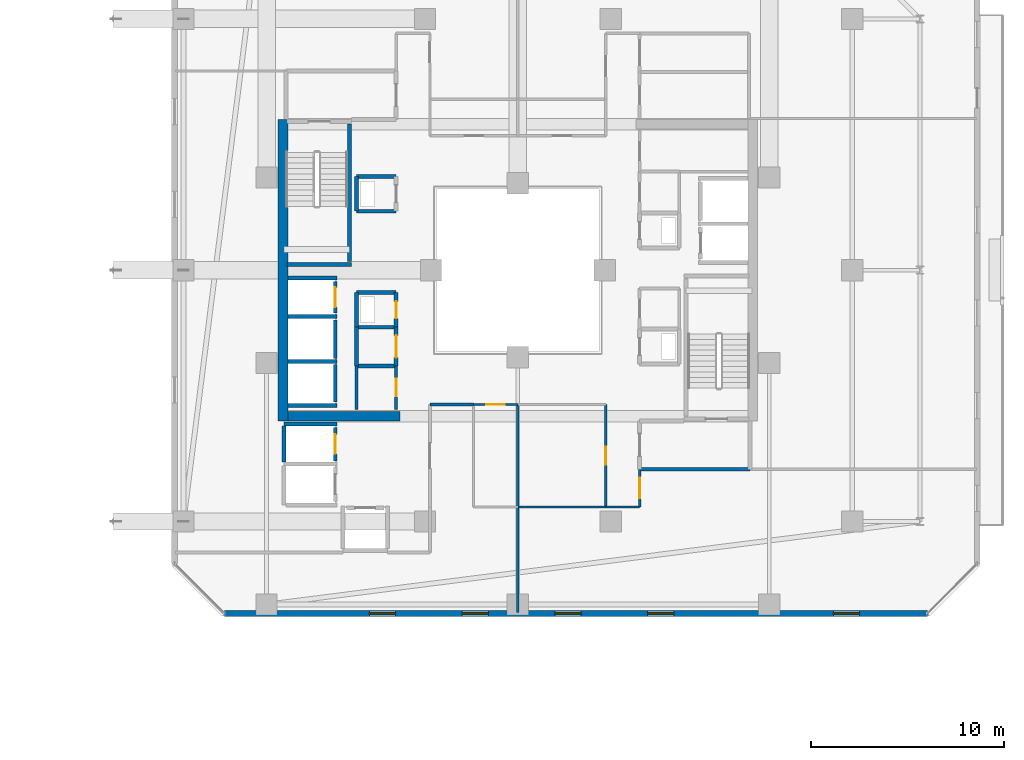
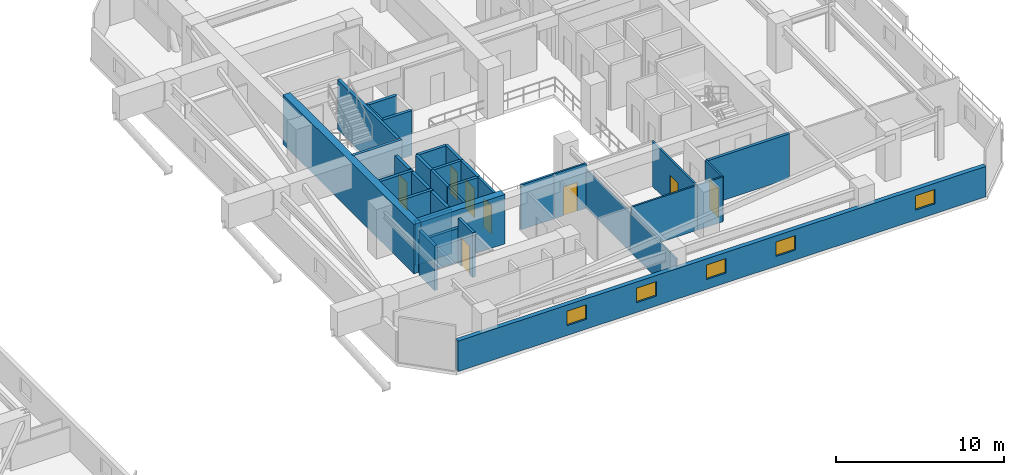
# One storey, part 26 of 36: 36 walls, 8 doors, 5 windows, 13 openings.
"""IFC4 building model written with IfcOpenShell, lengths in metres."""

from ifc_helpers import new_model, si_unit, direction, frame, frame_2d, origin, place, context, subcontext, project, spatial, rectangle, extrude, material, layer, layer_set, type_object, element, fill, save


model = new_model("IFC4")

# Units and contexts
model_context = context("Model", 3, precision=1e-05, world=origin(), true_north=direction((0.0, 1.0)))
body_context = subcontext(model_context, "Body", "Model", "MODEL_VIEW")
ifc_project = project(units=[si_unit("LENGTHUNIT", "METRE"), si_unit("AREAUNIT", "SQUARE_METRE"), si_unit("VOLUMEUNIT", "CUBIC_METRE"), si_unit("PLANEANGLEUNIT", "RADIAN"), si_unit("MASSUNIT", "GRAM", prefix="KILO")], contexts=[model_context])

# Site, building, storey
site_placement = place(None, origin())
site = spatial("IfcSite", under=ifc_project, at=site_placement, CompositionType="ELEMENT")
building_placement = place(site_placement, origin())
building = spatial("IfcBuilding", under=site, at=building_placement, Name="Thornwick Lancets Civic Towers", CompositionType="ELEMENT")
storey_placement = place(building_placement, frame((0.0, 0.0, 170.699951171875)))
storey = spatial("IfcBuildingStorey", under=building, at=storey_placement, Name="L45", CompositionType="ELEMENT", Elevation=170.699951171875)

# Wall, opening, door
ifc_material_1 = material(Name="Concrete blockwork C40/50", Category="masonry")
ifc_layer_1 = layer(ifc_material_1, 0.199951171875, Name="Concrete blockwork C40/50")
ifc_layer_set_1 = layer_set([ifc_layer_1], Name="Concrete blockwork C40/50")
wall_type_1 = type_object("IfcWallType", Name="WALL_COMP_200", PredefinedType="STANDARD", material=ifc_layer_set_1)
wall_1_placement = place(storey_placement, frame((79.050048828125, 24.780029296875, 0.0), z_axis=(0.0, 0.0, 1.0), x_axis=(0.0, 1.0, 0.0)))
wall_1 = element("IfcWall", 1, at=wall_1_placement, inside=storey, type_object=wall_type_1, Name="L45 Hoistway Front Wall FL-B2", PredefinedType="STANDARD", context=body_context, shape_type="SweptSolid", body=[
    extrude(rectangle(XDim=1.639892578125, YDim=0.199951171875, at=frame_2d((0.81982421875, 0.0))), origin(), (0.0, 0.0, 1.0), 3.260009765625),
])
opening_1_placement = place(wall_1_placement, frame((0.31005859375, 0.0, 0.0)))
opening_1 = element("IfcOpeningElement", 2, at=opening_1_placement, cuts=wall_1, Name="Opening LD-FL-B2", PredefinedType="OPENING", context=body_context, shape_type="SweptSolid", body=[
    extrude(rectangle(XDim=1.02001953125, YDim=2.06005859375, at=frame_2d((0.510009765625, 1.030029296875))), frame((0.0, 0.10986328125, 0.0), z_axis=(0.0, -1.0, 0.0), x_axis=(1.0, 0.0, 0.0)), (0.0, 0.0, 1.0), 0.219970703125),
])
ifc_material_2 = material(Name="Brushed bronze stainless steel", Category="steel")
door_type_1 = type_object("IfcDoorType", Name="DOOR_LIFT_SLIDE", OperationType="SLIDING_TO_LEFT", PredefinedType="DOOR", material=ifc_material_2)
door_1_placement = place(opening_1_placement, origin())
door_1 = element("IfcDoor", 3, at=door_1_placement, inside=storey, type_object=door_type_1, Name="L45 Sliding Lift Landing Door LD-FL-B2", OperationType="SLIDING_TO_LEFT", OverallHeight=2.06005859375, OverallWidth=1.02001953125, PredefinedType="DOOR", context=body_context, shape_type="SweptSolid", body=[
    extrude(rectangle(XDim=1.02001953125, YDim=2.06005859375, at=frame_2d((0.510009765625, 1.030029296875))), frame((0.0, 0.02490234375, 0.0), z_axis=(0.0, -1.0, 0.0), x_axis=(1.0, 0.0, 0.0)), (0.0, 0.0, 1.0), 0.050048828125),
])
fill(opening_1, door_1)

# Walls
wall_2_placement = place(storey_placement, frame((79.050048828125, 22.429931640625, 0.0), z_axis=(0.0, 0.0, 1.0), x_axis=(0.0, 1.0, 0.0)))
element("IfcWall", 4, at=wall_2_placement, inside=storey, type_object=wall_type_1, Name="L45 Hoistway Front Wall PL-BH2", PredefinedType="STANDARD", context=body_context, shape_type="SweptSolid", body=[
    extrude(rectangle(XDim=1.989990234375, YDim=0.199951171875, at=frame_2d((0.9951171875, 0.0))), origin(), (0.0, 0.0, 1.0), 3.260009765625),
])
wall_3_placement = place(storey_placement, frame((79.050048828125, 20.179931640625, 0.0), z_axis=(0.0, 0.0, 1.0), x_axis=(0.0, 1.0, 0.0)))
element("IfcWall", 5, at=wall_3_placement, inside=storey, type_object=wall_type_1, Name="L45 Hoistway Front Wall PL-BH3", PredefinedType="STANDARD", context=body_context, shape_type="SweptSolid", body=[
    extrude(rectangle(XDim=1.940185546875, YDim=0.199951171875, at=frame_2d((0.97021484375, 0.0))), origin(), (0.0, 0.0, 1.0), 3.260009765625),
])

# Wall, opening, door
wall_4_placement = place(storey_placement, frame((79.050048828125, 17.1298828125, 0.0), z_axis=(0.0, 0.0, 1.0), x_axis=(0.0, 1.0, 0.0)))
wall_4 = element("IfcWall", 6, at=wall_4_placement, inside=storey, type_object=wall_type_1, Name="L45 Hoistway Front Wall PL-BM1", PredefinedType="STANDARD", context=body_context, shape_type="SweptSolid", body=[
    extrude(rectangle(XDim=1.740234375, YDim=0.199951171875, at=frame_2d((0.8701171875, 0.0))), origin(), (0.0, 0.0, 1.0), 3.260009765625),
])
opening_2_placement = place(wall_4_placement, frame((0.360107421875, 0.0, 0.0)))
opening_2 = element("IfcOpeningElement", 7, at=opening_2_placement, cuts=wall_4, Name="Opening LD-PL-BM1", PredefinedType="OPENING", context=body_context, shape_type="SweptSolid", body=[
    extrude(rectangle(XDim=1.02001953125, YDim=2.06005859375, at=frame_2d((0.510009765625, 1.030029296875))), frame((0.0, 0.10986328125, 0.0), z_axis=(0.0, -1.0, 0.0), x_axis=(1.0, 0.0, 0.0)), (0.0, 0.0, 1.0), 0.219970703125),
])
door_2_placement = place(opening_2_placement, origin())
door_2 = element("IfcDoor", 8, at=door_2_placement, inside=storey, type_object=door_type_1, Name="L45 Sliding Lift Landing Door LD-PL-BM1", OperationType="SLIDING_TO_LEFT", OverallHeight=2.06005859375, OverallWidth=1.02001953125, PredefinedType="DOOR", context=body_context, shape_type="SweptSolid", body=[
    extrude(rectangle(XDim=1.02001953125, YDim=2.06005859375, at=frame_2d((0.510009765625, 1.030029296875))), frame((0.0, 0.02490234375, 0.0), z_axis=(0.0, -1.0, 0.0), x_axis=(1.0, 0.0, 0.0)), (0.0, 0.0, 1.0), 0.050048828125),
])
fill(opening_2, door_2)

# Walls
wall_5_placement = place(storey_placement, frame((76.612060546875, 26.60009765625, 0.0), z_axis=(0.0, 0.0, 1.0), x_axis=(1.0, 0.0, 0.0)))
element("IfcWall", 9, at=wall_5_placement, inside=storey, type_object=wall_type_1, Name="L45 Hoistway Shaft Wall FL-B2 N", PredefinedType="STANDARD", context=body_context, shape_type="SweptSolid", body=[
    extrude(rectangle(XDim=2.535888671875, YDim=0.199951171875, at=frame_2d((1.26806640625, 0.0))), origin(), (0.0, 0.0, 1.0), 1.78515625),
])
for number, where, z_axis, x_axis, name in (
    (10, (76.612060546875, 24.60009765625, 0.0), (0.0, 0.0, 1.0), (1.0, 0.0, 0.0), "L45 Hoistway Shaft Wall FL-B2 S"),
    (11, (76.612060546875, 22.27490234375, 0.0), (0.0, 0.0, 1.0), (1.0, 0.0, 0.0), "L45 Hoistway Shaft Wall PL-BH2 S"),
    (12, (76.612060546875, 20.0, 0.0), (0.0, 0.0, 1.0), (1.0, 0.0, 0.0), "L45 Hoistway Shaft Wall PL-BH3 S"),
):
    element("IfcWall", number, at=place(storey_placement, frame(where, z_axis=z_axis, x_axis=x_axis)), inside=storey, type_object=wall_type_1, Name=name, PredefinedType="STANDARD", context=body_context, shape_type="SweptSolid", body=[
        extrude(rectangle(XDim=2.535888671875, YDim=0.199951171875, at=frame_2d((1.26806640625, 0.0))), origin(), (0.0, 0.0, 1.0), 3.260009765625),
    ])
wall_6_placement = place(storey_placement, frame((76.402099609375, 19.050048828125, 0.0), z_axis=(0.0, 0.0, 1.0), x_axis=(1.0, 0.0, 0.0)))
element("IfcWall", 13, at=wall_6_placement, inside=storey, type_object=wall_type_1, Name="L45 Hoistway Shaft Wall PL-BM1 N", PredefinedType="STANDARD", context=body_context, shape_type="SweptSolid", body=[
    extrude(rectangle(XDim=2.745849609375, YDim=0.199951171875, at=frame_2d((1.373046875, 0.0))), origin(), (0.0, 0.0, 1.0), 2.465087890625),
])
wall_7_placement = place(storey_placement, frame((76.39990234375, 17.08203125, 0.0), z_axis=(0.0, 0.0, 1.0), x_axis=(0.0, 1.0, 0.0)))
element("IfcWall", 14, at=wall_7_placement, inside=storey, type_object=wall_type_1, Name="L45 Hoistway Shaft Wall PL-BM1 W", PredefinedType="STANDARD", context=body_context, shape_type="SweptSolid", body=[
    extrude(rectangle(XDim=1.85595703125, YDim=0.199951171875, at=frame_2d((0.927978515625, 0.0))), origin(), (0.0, 0.0, 1.0), 3.260009765625),
])
wall_8_placement = place(storey_placement, frame((94.800048828125, 16.699951171875, 0.0), z_axis=(0.0, 0.0, 1.0), x_axis=(1.0, 0.0, 0.0)))
element("IfcWall", 15, at=wall_8_placement, inside=storey, type_object=wall_type_1, Name="L45 Partition L45-B-FFLOB1 E1", PredefinedType="STANDARD", context=body_context, shape_type="SweptSolid", body=[
    extrude(rectangle(XDim=5.699951171875, YDim=0.199951171875, at=frame_2d((2.85009765625, 0.0))), origin(), (0.0, 0.0, 1.0), 3.260009765625),
])
wall_9_placement = place(storey_placement, frame((80.14990234375, 24.050048828125, 0.0), z_axis=(0.0, 0.0, 1.0), x_axis=(1.0, 0.0, 0.0)))
element("IfcWall", 16, at=wall_9_placement, inside=storey, type_object=wall_type_1, Name="L45 Partition L45-B-DUCT2 E1", PredefinedType="STANDARD", context=body_context, shape_type="SweptSolid", body=[
    extrude(rectangle(XDim=2.050048828125, YDim=0.199951171875, at=frame_2d((1.02490234375, 0.0))), origin(), (0.0, 0.0, 1.0), 3.260009765625),
])

# Wall, opening, door
wall_10_placement = place(storey_placement, frame((82.199951171875, 24.050048828125, 0.0), z_axis=(0.0, 0.0, 1.0), x_axis=(0.0, 1.0, 0.0)))
wall_10 = element("IfcWall", 17, at=wall_10_placement, inside=storey, type_object=wall_type_1, Name="L45 Partition L45-B-DUCT2 E2", PredefinedType="STANDARD", context=body_context, shape_type="SweptSolid", body=[
    extrude(rectangle(XDim=1.800048828125, YDim=0.199951171875, at=frame_2d((0.89990234375, 0.0))), origin(), (0.0, 0.0, 1.0), 3.260009765625),
])
opening_3_placement = place(wall_10_placement, frame((0.4599609375, 0.0, 0.0)))
opening_3 = element("IfcOpeningElement", 18, at=opening_3_placement, cuts=wall_10, Name="Opening D-L45-2018", PredefinedType="OPENING", context=body_context, shape_type="SweptSolid", body=[
    extrude(rectangle(XDim=0.8798828125, YDim=2.0400390625, at=frame_2d((0.43994140625, 1.02001953125))), frame((0.0, 0.10986328125, 0.0), z_axis=(0.0, -1.0, 0.0), x_axis=(1.0, 0.0, 0.0)), (0.0, 0.0, 1.0), 0.219970703125),
])
ifc_material_3 = material(Name="Steel riser access doorset", Category="steel")
door_type_2 = type_object("IfcDoorType", Name="DOOR_RISER_850", OperationType="NOTDEFINED", PredefinedType="DOOR", material=ifc_material_3)
door_3_placement = place(opening_3_placement, origin())
door_3 = element("IfcDoor", 19, at=door_3_placement, inside=storey, type_object=door_type_2, Name="L45 West Service Duct 2 Door", OperationType="SINGLE_SWING_LEFT", OverallHeight=2.0400390625, OverallWidth=0.8798828125, PredefinedType="DOOR", context=body_context, shape_type="SweptSolid", body=[
    extrude(rectangle(XDim=0.8798828125, YDim=2.0400390625, at=frame_2d((0.43994140625, 1.02001953125))), frame((0.0, 0.02490234375, 0.0), z_axis=(0.0, -1.0, 0.0), x_axis=(1.0, 0.0, 0.0)), (0.0, 0.0, 1.0), 0.050048828125),
])
fill(opening_3, door_3)

# Walls
wall_11_placement = place(storey_placement, frame((82.199951171875, 25.85009765625, 0.0), z_axis=(0.0, 0.0, 1.0), x_axis=(-1.0, 0.0, 0.0)))
element("IfcWall", 20, at=wall_11_placement, inside=storey, type_object=wall_type_1, Name="L45 Partition L45-B-DUCT2 E3", PredefinedType="STANDARD", context=body_context, shape_type="SweptSolid", body=[
    extrude(rectangle(XDim=2.050048828125, YDim=0.199951171875, at=frame_2d((1.02490234375, 0.0))), origin(), (0.0, 0.0, 1.0), 3.260009765625),
])
wall_12_placement = place(storey_placement, frame((80.14990234375, 25.85009765625, 0.0), z_axis=(0.0, 0.0, 1.0), x_axis=(0.0, -1.0, 0.0)))
element("IfcWall", 21, at=wall_12_placement, inside=storey, type_object=wall_type_1, Name="L45 Partition L45-B-DUCT2 E4", PredefinedType="STANDARD", context=body_context, shape_type="SweptSolid", body=[
    extrude(rectangle(XDim=1.800048828125, YDim=0.199951171875, at=frame_2d((0.89990234375, 0.0))), origin(), (0.0, 0.0, 1.0), 3.260009765625),
])
for number, where, z_axis, x_axis, name in (
    (22, (80.14990234375, 30.050048828125, 0.0), (0.0, 0.0, 1.0), (1.0, 0.0, 0.0), "L45 Partition L45-B-RISER2 E1"),
    (23, (82.199951171875, 31.85009765625, 0.0), (0.0, 0.0, 1.0), (-1.0, 0.0, 0.0), "L45 Partition L45-B-RISER2 E3"),
):
    element("IfcWall", number, at=place(storey_placement, frame(where, z_axis=z_axis, x_axis=x_axis)), inside=storey, type_object=wall_type_1, Name=name, PredefinedType="STANDARD", context=body_context, shape_type="SweptSolid", body=[
        extrude(rectangle(XDim=2.050048828125, YDim=0.199951171875, at=frame_2d((1.02490234375, 0.0))), origin(), (0.0, 0.0, 1.0), 3.260009765625),
    ])
wall_13_placement = place(storey_placement, frame((80.14990234375, 31.85009765625, 0.0), z_axis=(0.0, 0.0, 1.0), x_axis=(0.0, -1.0, 0.0)))
element("IfcWall", 24, at=wall_13_placement, inside=storey, type_object=wall_type_1, Name="L45 Partition L45-B-RISER2 E4", PredefinedType="STANDARD", context=body_context, shape_type="SweptSolid", body=[
    extrude(rectangle(XDim=1.800048828125, YDim=0.199951171875, at=frame_2d((0.89990234375, 0.0))), origin(), (0.0, 0.0, 1.0), 3.260009765625),
])
wall_14_placement = place(storey_placement, frame((80.14990234375, 22.050048828125, 0.0), z_axis=(0.0, 0.0, 1.0), x_axis=(0.0, 1.0, 0.0)))
element("IfcWall", 25, at=wall_14_placement, inside=storey, type_object=wall_type_1, Name="L45 Partition L45-B-STR E1", PredefinedType="STANDARD", context=body_context, shape_type="SweptSolid", body=[
    extrude(rectangle(XDim=2.0, YDim=0.199951171875, at=frame_2d((1.0, 0.0))), origin(), (0.0, 0.0, 1.0), 3.260009765625),
])

# Wall, opening, door
wall_15_placement = place(storey_placement, frame((82.199951171875, 24.050048828125, 0.0), z_axis=(0.0, 0.0, 1.0), x_axis=(0.0, -1.0, 0.0)))
wall_15 = element("IfcWall", 26, at=wall_15_placement, inside=storey, type_object=wall_type_1, Name="L45 Partition L45-B-STR E3", PredefinedType="STANDARD", context=body_context, shape_type="SweptSolid", body=[
    extrude(rectangle(XDim=2.0, YDim=0.199951171875, at=frame_2d((1.0, 0.0))), origin(), (0.0, 0.0, 1.0), 3.260009765625),
])
opening_4_placement = place(wall_15_placement, frame((0.425048828125, 0.0, 0.0)))
opening_4 = element("IfcOpeningElement", 27, at=opening_4_placement, cuts=wall_15, Name="Opening D-L45-2024", PredefinedType="OPENING", context=body_context, shape_type="SweptSolid", body=[
    extrude(rectangle(XDim=1.14990234375, YDim=2.10009765625, at=frame_2d((0.574951171875, 1.050048828125))), frame((0.0, 0.10986328125, 0.0), z_axis=(0.0, -1.0, 0.0), x_axis=(1.0, 0.0, 0.0)), (0.0, 0.0, 1.0), 0.219970703125),
])
ifc_material_4 = material(Name="Glazed fire-resisting steel", Category="steel")
door_type_3 = type_object("IfcDoorType", Name="DOOR_LOBBY_FD60", OperationType="NOTDEFINED", PredefinedType="DOOR", material=ifc_material_4)
door_4_placement = place(opening_4_placement, origin())
door_4 = element("IfcDoor", 28, at=door_4_placement, inside=storey, type_object=door_type_3, Name="L45 Tower B Core Records Store Door", OperationType="SINGLE_SWING_LEFT", OverallHeight=2.10009765625, OverallWidth=1.14990234375, PredefinedType="DOOR", context=body_context, shape_type="SweptSolid", body=[
    extrude(rectangle(XDim=1.14990234375, YDim=2.10009765625, at=frame_2d((0.574951171875, 1.050048828125))), frame((0.0, 0.02490234375, 0.0), z_axis=(0.0, -1.0, 0.0), x_axis=(1.0, 0.0, 0.0)), (0.0, 0.0, 1.0), 0.050048828125),
])
fill(opening_4, door_4)

# Walls
wall_16_placement = place(storey_placement, frame((82.199951171875, 22.050048828125, 0.0), z_axis=(0.0, 0.0, 1.0), x_axis=(-1.0, 0.0, 0.0)))
element("IfcWall", 29, at=wall_16_placement, inside=storey, type_object=wall_type_1, Name="L45 Partition L45-B-STR E4", PredefinedType="STANDARD", context=body_context, shape_type="SweptSolid", body=[
    extrude(rectangle(XDim=2.050048828125, YDim=0.199951171875, at=frame_2d((1.02490234375, 0.0))), origin(), (0.0, 0.0, 1.0), 3.260009765625),
])
ifc_material_5 = material(Name="Concrete C50/60", Category="concrete")
ifc_layer_2 = layer(ifc_material_5, 0.5, Name="Concrete C50/60")
ifc_layer_set_2 = layer_set([ifc_layer_2], Name="Concrete C50/60")
wall_type_2 = type_object("IfcWallType", Name="WALL_CORE_500", PredefinedType="SHEAR", material=ifc_layer_set_2)
wall_17_placement = place(storey_placement, frame((76.35009765625, 19.199951171875, 0.0), z_axis=(0.0, 0.0, 1.0), x_axis=(0.0, 1.0, 0.0)))
element("IfcWall", 30, at=wall_17_placement, inside=storey, type_object=wall_type_2, Name="L45 Split Core B2 Shear Wall W", PredefinedType="SHEAR", context=body_context, shape_type="SweptSolid", body=[
    extrude(rectangle(XDim=15.60009765625, YDim=0.5, at=frame_2d((7.800048828125, 0.0))), origin(), (0.0, 0.0, 1.0), 3.60009765625),
])
wall_18_placement = place(storey_placement, frame((76.60009765625, 19.449951171875, 0.0), z_axis=(0.0, 0.0, 1.0), x_axis=(1.0, 0.0, 0.0)))
element("IfcWall", 31, at=wall_18_placement, inside=storey, type_object=wall_type_2, Name="L45 Split Core B2 Shear Wall S", PredefinedType="SHEAR", context=body_context, shape_type="SweptSolid", body=[
    extrude(rectangle(XDim=5.7998046875, YDim=0.5, at=frame_2d((2.89990234375, 0.0))), origin(), (0.0, 0.0, 1.0), 3.60009765625),
])

# Wall, openings, windows
ifc_material_6 = material(Name="Insulated russet terracotta rainscreen on concrete C40/50", Category="masonry")
ifc_layer_3 = layer(ifc_material_6, 0.300048828125, Name="Insulated russet terracotta rainscreen on concrete C40/50")
ifc_layer_set_3 = layer_set([ifc_layer_3], Name="Insulated russet terracotta rainscreen on concrete C40/50")
wall_type_3 = type_object("IfcWallType", Name="WALL_EXT_RUSSET_300", PredefinedType="STANDARD", material=ifc_layer_set_3)
wall_19_placement = place(storey_placement, frame((73.318603515625, 9.2353515625, 0.0), z_axis=(0.0, 0.0, 1.0), x_axis=(1.0, 0.0, 0.0)))
wall_19 = element("IfcWall", 32, at=wall_19_placement, inside=storey, type_object=wall_type_3, Name="L45 Tower B Terracotta Facade Wall E0", PredefinedType="STANDARD", context=body_context, shape_type="SweptSolid", body=[
    extrude(rectangle(XDim=36.36279296875, YDim=0.300048828125, at=frame_2d((18.181396484375, 0.0))), origin(), (0.0, 0.0, 1.0), 2.219970703125),
])
opening_5_placement = place(wall_19_placement, frame((7.5, 0.0, 0.719970703125)))
opening_5 = element("IfcOpeningElement", 33, at=opening_5_placement, cuts=wall_19, Name="Opening WL-03", PredefinedType="OPENING", context=body_context, shape_type="SweptSolid", body=[
    extrude(rectangle(XDim=1.35009765625, YDim=1.050048828125, at=frame_2d((0.675048828125, 0.52490234375))), frame((0.0, 0.16015625, 0.0), z_axis=(0.0, -1.0, 0.0), x_axis=(1.0, 0.0, 0.0)), (0.0, 0.0, 1.0), 0.320068359375),
])
opening_6_placement = place(wall_19_placement, frame((12.300048828125, 0.0, 0.719970703125)))
opening_6 = element("IfcOpeningElement", 34, at=opening_6_placement, cuts=wall_19, Name="Opening WL-03", PredefinedType="OPENING", context=body_context, shape_type="SweptSolid", body=[
    extrude(rectangle(XDim=1.35009765625, YDim=1.050048828125, at=frame_2d((0.675048828125, 0.52490234375))), frame((0.0, 0.16015625, 0.0), z_axis=(0.0, -1.0, 0.0), x_axis=(1.0, 0.0, 0.0)), (0.0, 0.0, 1.0), 0.320068359375),
])
opening_7_placement = place(wall_19_placement, frame((17.10009765625, 0.0, 0.719970703125)))
opening_7 = element("IfcOpeningElement", 35, at=opening_7_placement, cuts=wall_19, Name="Opening WL-03", PredefinedType="OPENING", context=body_context, shape_type="SweptSolid", body=[
    extrude(rectangle(XDim=1.35009765625, YDim=1.050048828125, at=frame_2d((0.675048828125, 0.52490234375))), frame((0.0, 0.16015625, 0.0), z_axis=(0.0, -1.0, 0.0), x_axis=(1.0, 0.0, 0.0)), (0.0, 0.0, 1.0), 0.320068359375),
])
opening_8_placement = place(wall_19_placement, frame((21.89990234375, 0.0, 0.719970703125)))
opening_8 = element("IfcOpeningElement", 36, at=opening_8_placement, cuts=wall_19, Name="Opening WL-03", PredefinedType="OPENING", context=body_context, shape_type="SweptSolid", body=[
    extrude(rectangle(XDim=1.35009765625, YDim=1.050048828125, at=frame_2d((0.675048828125, 0.52490234375))), frame((0.0, 0.16015625, 0.0), z_axis=(0.0, -1.0, 0.0), x_axis=(1.0, 0.0, 0.0)), (0.0, 0.0, 1.0), 0.320068359375),
])
opening_9_placement = place(wall_19_placement, frame((31.5, 0.0, 0.719970703125)))
opening_9 = element("IfcOpeningElement", 37, at=opening_9_placement, cuts=wall_19, Name="Opening WL-03", PredefinedType="OPENING", context=body_context, shape_type="SweptSolid", body=[
    extrude(rectangle(XDim=1.35009765625, YDim=1.050048828125, at=frame_2d((0.675048828125, 0.52490234375))), frame((0.0, 0.16015625, 0.0), z_axis=(0.0, -1.0, 0.0), x_axis=(1.0, 0.0, 0.0)), (0.0, 0.0, 1.0), 0.320068359375),
])
ifc_material_7 = material(Name="Clear low-e double glazing clerestory lancet", Category="glass")
window_type = type_object("IfcWindowType", Name="WIN_LANCET_1350", PartitioningType="SINGLE_PANEL", PredefinedType="WINDOW", material=ifc_material_7)
window_1_placement = place(opening_5_placement, origin())
window_1 = element("IfcWindow", 38, at=window_1_placement, inside=storey, type_object=window_type, Name="L45 Tower B Staggered Lancet Window E0-1", OverallHeight=1.050048828125, OverallWidth=1.35009765625, PartitioningType="SINGLE_PANEL", PredefinedType="WINDOW", context=body_context, shape_type="SweptSolid", body=[
    extrude(rectangle(XDim=1.35009765625, YDim=1.050048828125, at=frame_2d((0.675048828125, 0.52490234375))), frame((0.0, 0.030029296875, 0.0), z_axis=(0.0, -1.0, 0.0), x_axis=(1.0, 0.0, 0.0)), (0.0, 0.0, 1.0), 0.06005859375),
])
fill(opening_5, window_1)
window_2_placement = place(opening_6_placement, origin())
window_2 = element("IfcWindow", 39, at=window_2_placement, inside=storey, type_object=window_type, Name="L45 Tower B Staggered Lancet Window E0-2", OverallHeight=1.050048828125, OverallWidth=1.35009765625, PartitioningType="SINGLE_PANEL", PredefinedType="WINDOW", context=body_context, shape_type="SweptSolid", body=[
    extrude(rectangle(XDim=1.35009765625, YDim=1.050048828125, at=frame_2d((0.675048828125, 0.52490234375))), frame((0.0, 0.030029296875, 0.0), z_axis=(0.0, -1.0, 0.0), x_axis=(1.0, 0.0, 0.0)), (0.0, 0.0, 1.0), 0.06005859375),
])
fill(opening_6, window_2)
window_3_placement = place(opening_7_placement, origin())
window_3 = element("IfcWindow", 40, at=window_3_placement, inside=storey, type_object=window_type, Name="L45 Tower B Staggered Lancet Window E0-3", OverallHeight=1.050048828125, OverallWidth=1.35009765625, PartitioningType="SINGLE_PANEL", PredefinedType="WINDOW", context=body_context, shape_type="SweptSolid", body=[
    extrude(rectangle(XDim=1.35009765625, YDim=1.050048828125, at=frame_2d((0.675048828125, 0.52490234375))), frame((0.0, 0.030029296875, 0.0), z_axis=(0.0, -1.0, 0.0), x_axis=(1.0, 0.0, 0.0)), (0.0, 0.0, 1.0), 0.06005859375),
])
fill(opening_7, window_3)
window_4_placement = place(opening_8_placement, origin())
window_4 = element("IfcWindow", 41, at=window_4_placement, inside=storey, type_object=window_type, Name="L45 Tower B Staggered Lancet Window E0-4", OverallHeight=1.050048828125, OverallWidth=1.35009765625, PartitioningType="SINGLE_PANEL", PredefinedType="WINDOW", context=body_context, shape_type="SweptSolid", body=[
    extrude(rectangle(XDim=1.35009765625, YDim=1.050048828125, at=frame_2d((0.675048828125, 0.52490234375))), frame((0.0, 0.030029296875, 0.0), z_axis=(0.0, -1.0, 0.0), x_axis=(1.0, 0.0, 0.0)), (0.0, 0.0, 1.0), 0.06005859375),
])
fill(opening_8, window_4)
window_5_placement = place(opening_9_placement, origin())
window_5 = element("IfcWindow", 42, at=window_5_placement, inside=storey, type_object=window_type, Name="L45 Tower B Staggered Lancet Window E0-5", OverallHeight=1.050048828125, OverallWidth=1.35009765625, PartitioningType="SINGLE_PANEL", PredefinedType="WINDOW", context=body_context, shape_type="SweptSolid", body=[
    extrude(rectangle(XDim=1.35009765625, YDim=1.050048828125, at=frame_2d((0.675048828125, 0.52490234375))), frame((0.0, 0.030029296875, 0.0), z_axis=(0.0, -1.0, 0.0), x_axis=(1.0, 0.0, 0.0)), (0.0, 0.0, 1.0), 0.06005859375),
])
fill(opening_9, window_5)

# Walls
ifc_material_8 = material(Name="Acoustic gypsum board partition")
ifc_layer_4 = layer(ifc_material_8, 0.1201171875, Name="Acoustic gypsum board partition")
ifc_layer_set_4 = layer_set([ifc_layer_4], Name="Acoustic gypsum board partition")
wall_type_4 = type_object("IfcWallType", Name="WALL_PART_120", PredefinedType="PARTITIONING", material=ifc_layer_set_4)
wall_20_placement = place(storey_placement, frame((88.5, 9.280029296875, 0.0), z_axis=(0.0, 0.0, 1.0), x_axis=(0.0, 1.0, 0.0)))
element("IfcWall", 43, at=wall_20_placement, inside=storey, type_object=wall_type_4, Name="L45 Partition L45-B-W1 E2", PredefinedType="PARTITIONING", context=body_context, shape_type="SweptSolid", body=[
    extrude(rectangle(XDim=5.469970703125, YDim=0.1201171875, at=frame_2d((2.73486328125, 0.0))), origin(), (0.0, 0.0, 1.0), 2.8017578125),
])
wall_21_placement = place(storey_placement, frame((88.5, 14.75, 0.0), z_axis=(0.0, 0.0, 1.0), x_axis=(1.0, 0.0, 0.0)))
element("IfcWall", 44, at=wall_21_placement, inside=storey, type_object=wall_type_4, Name="L45 Partition L45-B-W1 E3", PredefinedType="PARTITIONING", context=body_context, shape_type="SweptSolid", body=[
    extrude(rectangle(XDim=4.550048828125, YDim=0.1201171875, at=frame_2d((2.27490234375, 0.0))), origin(), (0.0, 0.0, 1.0), 3.260009765625),
])
wall_22_placement = place(storey_placement, frame((93.050048828125, 14.75, 0.0), z_axis=(0.0, 0.0, 1.0), x_axis=(1.0, 0.0, 0.0)))
element("IfcWall", 45, at=wall_22_placement, inside=storey, type_object=wall_type_4, Name="L45 Partition L45-B-W1 E4", PredefinedType="PARTITIONING", context=body_context, shape_type="SweptSolid", body=[
    extrude(rectangle(XDim=1.75, YDim=0.1201171875, at=frame_2d((0.875, 0.0))), origin(), (0.0, 0.0, 1.0), 3.260009765625),
])

# Wall, opening, door
wall_23_placement = place(storey_placement, frame((94.800048828125, 14.75, 0.0), z_axis=(0.0, 0.0, 1.0), x_axis=(0.0, 1.0, 0.0)))
wall_23 = element("IfcWall", 46, at=wall_23_placement, inside=storey, type_object=wall_type_4, Name="L45 Partition L45-B-W1 E5", PredefinedType="PARTITIONING", context=body_context, shape_type="SweptSolid", body=[
    extrude(rectangle(XDim=1.949951171875, YDim=0.1201171875, at=frame_2d((0.97509765625, 0.0))), origin(), (0.0, 0.0, 1.0), 3.260009765625),
])
opening_10_placement = place(wall_23_placement, frame((0.449951171875, 0.0, 0.0)))
opening_10 = element("IfcOpeningElement", 47, at=opening_10_placement, cuts=wall_23, Name="Opening D-L45-2037", PredefinedType="OPENING", context=body_context, shape_type="SweptSolid", body=[
    extrude(rectangle(XDim=1.050048828125, YDim=2.10009765625, at=frame_2d((0.52490234375, 1.050048828125))), frame((0.0, 0.070068359375, 0.0), z_axis=(0.0, -1.0, 0.0), x_axis=(1.0, 0.0, 0.0)), (0.0, 0.0, 1.0), 0.14013671875),
])
ifc_material_9 = material(Name="Glazed European oak executive doorset")
door_type_4 = type_object("IfcDoorType", Name="DOOR_OFFICE_1050", OperationType="NOTDEFINED", PredefinedType="DOOR", material=ifc_material_9)
door_5_placement = place(opening_10_placement, origin())
door_5 = element("IfcDoor", 48, at=door_5_placement, inside=storey, type_object=door_type_4, Name="L45 Tower B Ministry Directorate Office W1 Door", OperationType="SINGLE_SWING_RIGHT", OverallHeight=2.10009765625, OverallWidth=1.050048828125, PredefinedType="DOOR", context=body_context, shape_type="SweptSolid", body=[
    extrude(rectangle(XDim=1.050048828125, YDim=2.10009765625, at=frame_2d((0.52490234375, 1.050048828125))), frame((0.0, 0.02490234375, 0.0), z_axis=(0.0, -1.0, 0.0), x_axis=(1.0, 0.0, 0.0)), (0.0, 0.0, 1.0), 0.050048828125),
])
fill(opening_10, door_5)

# Wall
wall_24_placement = place(storey_placement, frame((88.5, 14.75, 0.0), z_axis=(0.0, 0.0, 1.0), x_axis=(0.0, 1.0, 0.0)))
element("IfcWall", 49, at=wall_24_placement, inside=storey, type_object=wall_type_4, Name="L45 Partition L45-B-W2 E1", PredefinedType="PARTITIONING", context=body_context, shape_type="SweptSolid", body=[
    extrude(rectangle(XDim=5.300048828125, YDim=0.1201171875, at=frame_2d((2.64990234375, 0.0))), origin(), (0.0, 0.0, 1.0), 2.8017578125),
])

# Wall, opening, door
wall_25_placement = place(storey_placement, frame((93.050048828125, 20.050048828125, 0.0), z_axis=(0.0, 0.0, 1.0), x_axis=(0.0, -1.0, 0.0)))
wall_25 = element("IfcWall", 50, at=wall_25_placement, inside=storey, type_object=wall_type_4, Name="L45 Partition L45-B-W2 E3", PredefinedType="PARTITIONING", context=body_context, shape_type="SweptSolid", body=[
    extrude(rectangle(XDim=5.300048828125, YDim=0.1201171875, at=frame_2d((2.64990234375, 0.0))), origin(), (0.0, 0.0, 1.0), 3.260009765625),
])
opening_11_placement = place(wall_25_placement, frame((2.175048828125, 0.0, 0.0)))
opening_11 = element("IfcOpeningElement", 51, at=opening_11_placement, cuts=wall_25, Name="Opening D-L45-2038", PredefinedType="OPENING", context=body_context, shape_type="SweptSolid", body=[
    extrude(rectangle(XDim=0.949951171875, YDim=2.10009765625, at=frame_2d((0.47509765625, 1.050048828125))), frame((0.0, 0.070068359375, 0.0), z_axis=(0.0, -1.0, 0.0), x_axis=(1.0, 0.0, 0.0)), (0.0, 0.0, 1.0), 0.14013671875),
])
ifc_material_10 = material(Name="European oak acoustic doorset")
door_type_5 = type_object("IfcDoorType", Name="DOOR_OFFICE_950", OperationType="NOTDEFINED", PredefinedType="DOOR", material=ifc_material_10)
door_6_placement = place(opening_11_placement, origin())
door_6 = element("IfcDoor", 52, at=door_6_placement, inside=storey, type_object=door_type_5, Name="L45 Tower B Statutory Research Suite Door", OperationType="SINGLE_SWING_LEFT", OverallHeight=2.10009765625, OverallWidth=0.949951171875, PredefinedType="DOOR", context=body_context, shape_type="SweptSolid", body=[
    extrude(rectangle(XDim=0.949951171875, YDim=2.10009765625, at=frame_2d((0.47509765625, 1.050048828125))), frame((0.0, 0.02490234375, 0.0), z_axis=(0.0, -1.0, 0.0), x_axis=(1.0, 0.0, 0.0)), (0.0, 0.0, 1.0), 0.050048828125),
])
fill(opening_11, door_6)

wall_26_placement = place(storey_placement, frame((86.199951171875, 20.050048828125, 0.0), z_axis=(0.0, 0.0, 1.0), x_axis=(1.0, 0.0, 0.0)))
wall_26 = element("IfcWall", 53, at=wall_26_placement, inside=storey, type_object=wall_type_4, Name="L45 Partition L45-B-W3 E2", PredefinedType="PARTITIONING", context=body_context, shape_type="SweptSolid", body=[
    extrude(rectangle(XDim=2.300048828125, YDim=0.1201171875, at=frame_2d((1.14990234375, 0.0))), origin(), (0.0, 0.0, 1.0), 3.260009765625),
])
opening_12_placement = place(wall_26_placement, frame((0.675048828125, 0.0, 0.0)))
opening_12 = element("IfcOpeningElement", 54, at=opening_12_placement, cuts=wall_26, Name="Opening D-L45-2039", PredefinedType="OPENING", context=body_context, shape_type="SweptSolid", body=[
    extrude(rectangle(XDim=0.949951171875, YDim=2.10009765625, at=frame_2d((0.47509765625, 1.050048828125))), frame((0.0, 0.070068359375, 0.0), z_axis=(0.0, -1.0, 0.0), x_axis=(1.0, 0.0, 0.0)), (0.0, 0.0, 1.0), 0.14013671875),
])
door_7_placement = place(opening_12_placement, origin())
door_7 = element("IfcDoor", 55, at=door_7_placement, inside=storey, type_object=door_type_5, Name="L45 Tower B Staff Tea Pantry and Lounge Door", OperationType="SINGLE_SWING_RIGHT", OverallHeight=2.10009765625, OverallWidth=0.949951171875, PredefinedType="DOOR", context=body_context, shape_type="SweptSolid", body=[
    extrude(rectangle(XDim=0.949951171875, YDim=2.10009765625, at=frame_2d((0.47509765625, 1.050048828125))), frame((0.0, 0.02490234375, 0.0), z_axis=(0.0, -1.0, 0.0), x_axis=(1.0, 0.0, 0.0)), (0.0, 0.0, 1.0), 0.050048828125),
])
fill(opening_12, door_7)

ifc_material_11 = material(Name="Twin-stud acoustic gypsum board")
ifc_layer_5 = layer(ifc_material_11, 0.14990234375, Name="Twin-stud acoustic gypsum board")
ifc_layer_set_5 = layer_set([ifc_layer_5], Name="Twin-stud acoustic gypsum board")
wall_type_5 = type_object("IfcWallType", Name="WALL_PART_150", PredefinedType="PARTITIONING", material=ifc_layer_set_5)
wall_27_placement = place(storey_placement, frame((82.199951171875, 19.800048828125, 0.0), z_axis=(0.0, 0.0, 1.0), x_axis=(0.0, 1.0, 0.0)))
wall_27 = element("IfcWall", 56, at=wall_27_placement, inside=storey, type_object=wall_type_5, Name="L45 Partition L45-B-AWC E2", PredefinedType="PARTITIONING", context=body_context, shape_type="SweptSolid", body=[
    extrude(rectangle(XDim=2.25, YDim=0.14990234375, at=frame_2d((1.125, 0.0))), origin(), (0.0, 0.0, 1.0), 3.260009765625),
])
opening_13_placement = place(wall_27_placement, frame((0.6650390625, 0.0, 0.0)))
opening_13 = element("IfcOpeningElement", 57, at=opening_13_placement, cuts=wall_27, Name="Opening D-L45-2023", PredefinedType="OPENING", context=body_context, shape_type="SweptSolid", body=[
    extrude(rectangle(XDim=0.919921875, YDim=2.080078125, at=frame_2d((0.4599609375, 1.0400390625))), frame((0.0, 0.0849609375, 0.0), z_axis=(0.0, -1.0, 0.0), x_axis=(1.0, 0.0, 0.0)), (0.0, 0.0, 1.0), 0.169921875),
])
ifc_material_12 = material(Name="Moisture-resistant oak doorset")
door_type_6 = type_object("IfcDoorType", Name="DOOR_WC_900", OperationType="NOTDEFINED", PredefinedType="DOOR", material=ifc_material_12)
door_8_placement = place(opening_13_placement, origin())
door_8 = element("IfcDoor", 58, at=door_8_placement, inside=storey, type_object=door_type_6, Name="L45 Tower B Accessible WC Door", OperationType="SINGLE_SWING_RIGHT", OverallHeight=2.080078125, OverallWidth=0.919921875, PredefinedType="DOOR", context=body_context, shape_type="SweptSolid", body=[
    extrude(rectangle(XDim=0.919921875, YDim=2.080078125, at=frame_2d((0.4599609375, 1.0400390625))), frame((0.0, 0.02490234375, 0.0), z_axis=(0.0, -1.0, 0.0), x_axis=(1.0, 0.0, 0.0)), (0.0, 0.0, 1.0), 0.050048828125),
])
fill(opening_13, door_8)

# Walls
for number, where, z_axis, x_axis, name in (
    (59, (80.14990234375, 22.050048828125, 0.0), (0.0, 0.0, 1.0), (0.0, -1.0, 0.0), "L45 Partition L45-B-AWC E4"),
    (60, (83.949951171875, 20.050048828125, 0.0), (0.0, 0.0, 1.0), (1.0, 0.0, 0.0), "L45 Partition L45-B-W4 E2"),
):
    element("IfcWall", number, at=place(storey_placement, frame(where, z_axis=z_axis, x_axis=x_axis)), inside=storey, type_object=wall_type_5, Name=name, PredefinedType="PARTITIONING", context=body_context, shape_type="SweptSolid", body=[
        extrude(rectangle(XDim=2.25, YDim=0.14990234375, at=frame_2d((1.125, 0.0))), origin(), (0.0, 0.0, 1.0), 3.260009765625),
    ])
ifc_material_13 = material(Name="Concrete C40/50", Category="concrete")
ifc_layer_6 = layer(ifc_material_13, 0.199951171875, Name="Concrete C40/50")
ifc_layer_set_6 = layer_set([ifc_layer_6], Name="Concrete C40/50")
wall_type_6 = type_object("IfcWallType", Name="WALL_SHAFT_200", PredefinedType="SHEAR", material=ifc_layer_set_6)
wall_28_placement = place(storey_placement, frame((79.89990234375, 27.300048828125, 0.0), z_axis=(0.0, 0.0, 1.0), x_axis=(-1.0, 0.0, 0.0)))
element("IfcWall", 61, at=wall_28_placement, inside=storey, type_object=wall_type_6, Name="L45 ST-B2 Fire Stair Core Wall FAR", PredefinedType="SHEAR", context=body_context, shape_type="SweptSolid", body=[
    extrude(rectangle(XDim=3.349853515625, YDim=0.199951171875, at=frame_2d((1.6748046875, 0.0))), origin(), (0.0, 0.0, 1.0), 3.60009765625),
])
wall_29_placement = place(storey_placement, frame((79.797119140625, 27.449951171875, 0.0), z_axis=(0.0, 0.0, 1.0), x_axis=(0.0, 1.0, 0.0)))
element("IfcWall", 62, at=wall_29_placement, inside=storey, type_object=wall_type_6, Name="L45 ST-B2 Fire Stair Core Wall RIGHT", PredefinedType="SHEAR", context=body_context, shape_type="SweptSolid", body=[
    extrude(rectangle(XDim=7.10009765625, YDim=0.199951171875, at=frame_2d((3.550048828125, 0.0))), origin(), (0.0, 0.0, 1.0), 3.60009765625),
])

save(model, "model.ifc")
